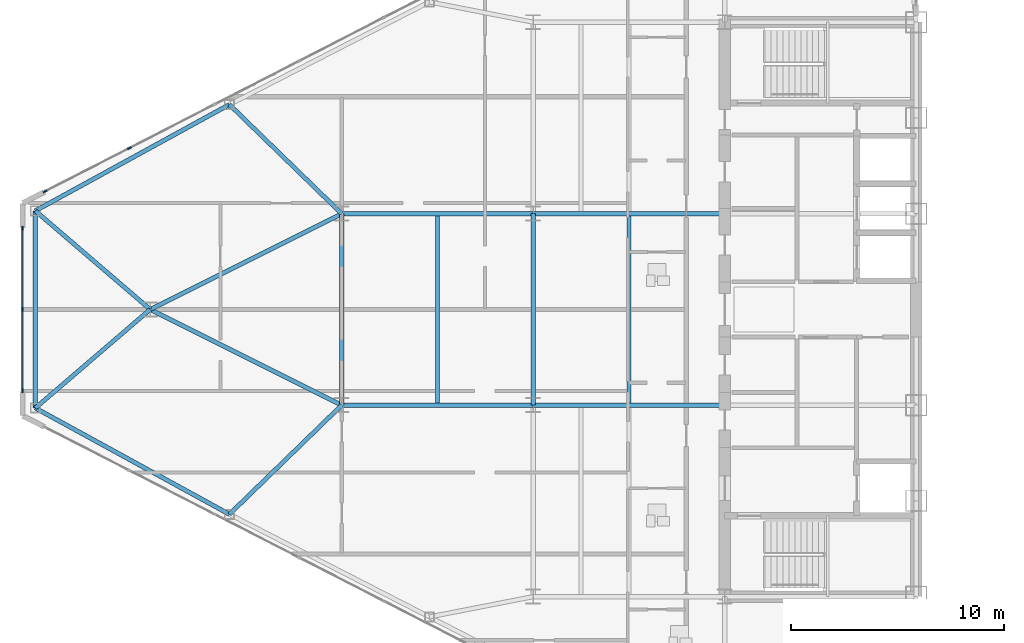
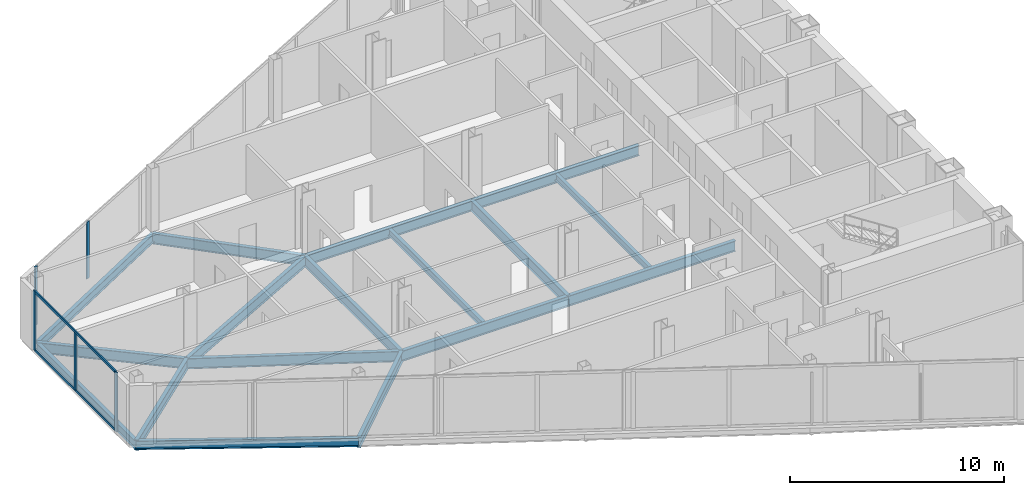
# One storey, part 4 of 23: 17 beams, 7 members, 2 elements without a shape of their own.
"""IFC4 building model written with IfcOpenShell, lengths in metres."""

from ifc_helpers import new_model, si_unit, direction, frame, origin, origin_2d, place, context, subcontext, project, spatial, rectangle, i_section, extrude, source, transform, mapped, material, layer, layer_set, material_profile, profile_set, type_object, type_shapes, element, aggregate, save


model = new_model("IFC4")

# Units and contexts
model_context = context("Model", 3, precision=1e-05, world=origin(), true_north=direction((0.0, 1.0)))
body_context = subcontext(model_context, "Body", "Model", "MODEL_VIEW")
ifc_project = project(units=[si_unit("LENGTHUNIT", "METRE"), si_unit("AREAUNIT", "SQUARE_METRE"), si_unit("VOLUMEUNIT", "CUBIC_METRE"), si_unit("PLANEANGLEUNIT", "RADIAN"), si_unit("MASSUNIT", "GRAM", prefix="KILO")], contexts=[model_context])

# Site, building, storey
site_placement = place(None, origin())
site = spatial("IfcSite", under=ifc_project, at=site_placement, CompositionType="ELEMENT")
building_placement = place(site_placement, origin())
building = spatial("IfcBuilding", under=site, at=building_placement, Name="Seokmaru Belvedere", CompositionType="ELEMENT")
storey_placement = place(building_placement, frame((0.0, 0.0, 147.60009765625)))
storey = spatial("IfcBuildingStorey", under=building, at=storey_placement, Name="L39", CompositionType="ELEMENT", Elevation=147.60009765625)

# Beams
ifc_material_1 = material(Name="Steel SM355 (355 MPa)", Category="steel")
ifc_material_profile_1 = material_profile(ifc_material_1, i_section(OverallWidth=0.199951171875, OverallDepth=0.60009765625, WebThickness=0.010986328125, FlangeThickness=0.01708984375, at=origin_2d()), Name="H-600x200x11x17")
ifc_profile_set_1 = profile_set([ifc_material_profile_1], Name="Steel SM355 (355 MPa)")
beam_type_1 = type_object("IfcBeamType", Name="Primary Floor Girder H-600", PredefinedType="BEAM", material=ifc_profile_set_1)
shared_shape_1 = source(origin(), body_context, "Body", "SweptSolid", [
    extrude(i_section(OverallWidth=0.199951171875, OverallDepth=0.60009765625, WebThickness=0.010986328125, FlangeThickness=0.01708984375, at=origin_2d()), origin(), (0.0, 0.0, 1.0), 9.0),
])
for number, where, z_axis, x_axis, name in (
    (1, (-45.5, -4.5, -0.52001953125), (0.0, 1.0, 0.0), (-1.0, 0.0, 0.0), "L39 W Interior Grid Girder 2"),
    (2, (-45.5, -4.5, -0.52001953125), (1.0, 0.0, 0.0), (0.0, 1.0, 0.0), "L39 W Wing Primary Girder 2"),
    (3, (-45.5, 4.5, -0.52001953125), (1.0, 0.0, 0.0), (0.0, 1.0, 0.0), "L39 W Wing Primary Girder 3"),
    (4, (-54.5, -4.5, -0.52001953125), (1.0, 0.0, 0.0), (0.0, 1.0, 0.0), "L39 W Outer Wing Girder 1"),
    (5, (-54.5, 4.5, -0.52001953125), (1.0, 0.0, 0.0), (0.0, 1.0, 0.0), "L39 W Outer Wing Girder 2"),
    (6, (-54.5, -4.5, -0.52001953125), (0.0, 1.0, 0.0), (-1.0, 0.0, 0.0), "L39 W Apex Frame Girder"),
):
    element("IfcBeam", number, at=place(storey_placement, frame(where, z_axis=z_axis, x_axis=x_axis)), inside=storey, type_object=beam_type_1, Name=name, PredefinedType="BEAM", context=body_context, shape_type="MappedRepresentation", body=[
        mapped(shared_shape_1, transform((0.0, 0.0, 0.0), scale=1.0)),
    ])
shared_shape_2 = source(origin(), body_context, "Body", "SweptSolid", [
    extrude(i_section(OverallWidth=0.199951171875, OverallDepth=0.60009765625, WebThickness=0.010986328125, FlangeThickness=0.01708984375, at=origin_2d()), origin(), (0.0, 0.0, 1.0), 10.062255859375),
])
for number, where, z_axis, x_axis, name in (
    (7, (-54.5, -4.5, -0.52001953125), (-0.894427191, 0.4472135955, 0.0), (-0.4472135955, -0.894427191, 0.0), "L39 W Apex Converging Girder 1"),
    (8, (-54.5, 4.5, -0.52001953125), (-0.894427191, -0.4472135955, 0.0), (0.4472135955, -0.894427191, 0.0), "L39 W Apex Converging Girder 2"),
):
    element("IfcBeam", number, at=place(storey_placement, frame(where, z_axis=z_axis, x_axis=x_axis)), inside=storey, type_object=beam_type_1, Name=name, PredefinedType="BEAM", context=body_context, shape_type="MappedRepresentation", body=[
        mapped(shared_shape_2, transform((0.0, 0.0, 0.0), scale=1.0)),
    ])
ifc_material_profile_2 = material_profile(ifc_material_1, i_section(OverallWidth=0.18505859375, OverallDepth=0.389892578125, WebThickness=0.008056640625, FlangeThickness=0.011962890625, at=origin_2d()), Name="H-390x185x8x12")
ifc_profile_set_2 = profile_set([ifc_material_profile_2], Name="Steel SM355 (355 MPa)")
beam_type_2 = type_object("IfcBeamType", Name="Secondary Floor Joist H-350", PredefinedType="JOIST", material=ifc_profile_set_2)
shared_shape_3 = source(origin(), body_context, "Body", "SweptSolid", [
    extrude(i_section(OverallWidth=0.18505859375, OverallDepth=0.389892578125, WebThickness=0.008056640625, FlangeThickness=0.011962890625, at=origin_2d()), origin(), (0.0, 0.0, 1.0), 8.7900390625),
])
type_shapes(beam_type_2, [shared_shape_3])
for number, where, z_axis, x_axis, name in (
    (9, (-41.0, -4.39501953125, -0.4150390625), (0.0, 1.0, 0.0), (-1.0, 0.0, 0.0), "L39 W Secondary Floor Joist 2"),
    (10, (-50.0, -4.39501953125, -0.4150390625), (0.0, 1.0, 0.0), (-1.0, 0.0, 0.0), "L39 W Outer Bay Secondary Joist"),
):
    element("IfcBeam", number, at=place(storey_placement, frame(where, z_axis=z_axis, x_axis=x_axis)), inside=storey, type_object=beam_type_2, Name=name, PredefinedType="JOIST", context=body_context, shape_type="MappedRepresentation", body=[
        mapped(shared_shape_3, transform((0.0, 0.0, 0.0), scale=1.0)),
    ])
ifc_material_profile_3 = material_profile(ifc_material_1, i_section(OverallWidth=0.199951171875, OverallDepth=0.5, WebThickness=0.010009765625, FlangeThickness=0.01611328125, at=origin_2d()), Name="H-500x200x10x16")
ifc_profile_set_3 = profile_set([ifc_material_profile_3], Name="Steel SM355 (355 MPa)")
beam_type_3 = type_object("IfcBeamType", Name="Perimeter Spandrel Beam H-500", PredefinedType="SPANDREL", material=ifc_profile_set_3)
shared_shape_4 = source(origin(), body_context, "Body", "SweptSolid", [
    extrude(i_section(OverallWidth=0.199951171875, OverallDepth=0.5, WebThickness=0.010009765625, FlangeThickness=0.01611328125, at=origin_2d()), origin(), (0.0, 0.0, 1.0), 10.399658203125),
])
for number, where, z_axis, x_axis, name in (
    (11, (-59.778564453125, -9.62890625, -0.47021484375), (-0.877082374422, 0.480339992587, 0.0), (-0.480339992587, -0.877082374422, 0.0), "L39 W Faceted Flank Spandrel S-4"),
    (12, (-59.778564453125, 9.62890625, -0.47021484375), (-0.877082374422, -0.480339992587, 0.0), (0.480339992587, -0.877082374422, 0.0), "L39 W Faceted Flank Spandrel N-4"),
):
    element("IfcBeam", number, at=place(storey_placement, frame(where, z_axis=z_axis, x_axis=x_axis)), inside=storey, type_object=beam_type_3, Name=name, PredefinedType="SPANDREL", context=body_context, shape_type="MappedRepresentation", body=[
        mapped(shared_shape_4, transform((0.0, 0.0, 0.0), scale=1.0)),
    ])
shared_shape_5 = source(origin(), body_context, "Body", "SweptSolid", [
    extrude(i_section(OverallWidth=0.199951171875, OverallDepth=0.5, WebThickness=0.010009765625, FlangeThickness=0.01611328125, at=origin_2d()), origin(), (0.0, 0.0, 1.0), 9.26708984375),
])
type_shapes(beam_type_3, [shared_shape_4, shared_shape_5])
beam_placement = place(storey_placement, frame((-68.89990234375, -4.633544921875, -0.47021484375), z_axis=(0.0, 1.0, 0.0), x_axis=(-1.0, 0.0, 0.0)))
element("IfcBeam", 13, at=beam_placement, inside=storey, type_object=beam_type_3, Name="L39 W Faceted Apex Spandrel", PredefinedType="SPANDREL", context=body_context, shape_type="MappedRepresentation", body=[
    mapped(shared_shape_5, transform((0.0, 0.0, 0.0), scale=1.0)),
])
shared_shape_6 = source(origin(), body_context, "Body", "SweptSolid", [
    extrude(i_section(OverallWidth=0.199951171875, OverallDepth=0.60009765625, WebThickness=0.010986328125, FlangeThickness=0.01708984375, at=origin_2d()), origin(), (0.0, 0.0, 1.0), 7.35986328125),
])
for number, where, z_axis, x_axis, name in (
    (14, (-59.778564453125, -9.62890625, -0.52001953125), (0.717200745515, 0.696866623273, 0.0), (-0.696866623273, 0.717200745515, 0.0), "L39 W Flank Radial Floor Girder S-3"),
    (15, (-59.778564453125, 9.62890625, -0.52001953125), (0.717200745515, -0.696866623273, 0.0), (0.696866623273, 0.717200745515, 0.0), "L39 W Flank Radial Floor Girder N-3"),
):
    element("IfcBeam", number, at=place(storey_placement, frame(where, z_axis=z_axis, x_axis=x_axis)), inside=storey, type_object=beam_type_1, Name=name, PredefinedType="BEAM", context=body_context, shape_type="MappedRepresentation", body=[
        mapped(shared_shape_6, transform((0.0, 0.0, 0.0), scale=1.0)),
    ])
shared_shape_7 = source(origin(), body_context, "Body", "SweptSolid", [
    extrude(i_section(OverallWidth=0.199951171875, OverallDepth=0.60009765625, WebThickness=0.010986328125, FlangeThickness=0.01708984375, at=origin_2d()), origin(), (0.0, 0.0, 1.0), 7.115478515625),
])
type_shapes(beam_type_1, [shared_shape_1, shared_shape_2, shared_shape_6, shared_shape_7])
for number, where, z_axis, x_axis, name in (
    (16, (-68.89990234375, -4.633544921875, -0.52001953125), (0.758905301881, 0.651201000289, 0.0), (-0.651201000289, 0.758905301881, 0.0), "L39 W Apex Radial Floor Girder 1"),
    (17, (-68.89990234375, 4.633544921875, -0.52001953125), (0.758905301881, -0.651201000289, 0.0), (0.651201000289, 0.758905301881, 0.0), "L39 W Apex Radial Floor Girder 2"),
):
    element("IfcBeam", number, at=place(storey_placement, frame(where, z_axis=z_axis, x_axis=x_axis)), inside=storey, type_object=beam_type_1, Name=name, PredefinedType="BEAM", context=body_context, shape_type="MappedRepresentation", body=[
        mapped(shared_shape_7, transform((0.0, 0.0, 0.0), scale=1.0)),
    ])

# Curtain wall, member
ifc_material_2 = material(Name="Bronze Triple Insulating Glass", Category="glass")
ifc_layer = layer(ifc_material_2, 0.195068359375)
ifc_layer_set = layer_set([ifc_layer], Name="Bronze Triple Insulating Glass")
curtain_wall_type = type_object("IfcCurtainWallType", Name="Sky-Lobby and Mid-Rise Curtain Wall System CW-4", PredefinedType="NOTDEFINED", material=ifc_layer_set)
curtain_wall_1_placement = place(storey_placement, origin())
curtain_wall_1 = element("IfcCurtainWall", 18, at=curtain_wall_1_placement, inside=storey, type_object=curtain_wall_type, Name="L39 Curtain Wall WF3", PredefinedType="NOTDEFINED")
ifc_material_3 = material(Name="Anodised Bronze Aluminium", Category="aluminium")
ifc_material_profile_4 = material_profile(ifc_material_3, rectangle(XDim=0.070068359375, YDim=0.195068359375, at=origin_2d()), Name="CW-M-70x195")
ifc_profile_set_4 = profile_set([ifc_material_profile_4], Name="Anodised Bronze Aluminium")
member_type_1 = type_object("IfcMemberType", Name="Bronze Unitised Mullion 70x195", PredefinedType="MULLION", material=ifc_profile_set_4)
shared_shape_8 = source(origin(), body_context, "Body", "SweptSolid", [
    extrude(rectangle(XDim=0.070068359375, YDim=0.195068359375, at=origin_2d()), origin(), (0.0, 0.0, 1.0), 3.3798828125),
])
member_1_placement = place(storey_placement, frame((-68.44580078125, 5.541015625, 0.0), z_axis=(0.0, 0.0, 1.0), x_axis=(0.456554528263, -0.889695432562, 0.0)))
member_1 = element("IfcMember", 19, at=member_1_placement, type_object=member_type_1, Name="CW:L39:WF3 Mullion 10", PredefinedType="MULLION", context=body_context, shape_type="MappedRepresentation", body=[
    mapped(shared_shape_8, transform((0.0, 0.0, 0.0), scale=1.0)),
])

# Curtain wall, members
curtain_wall_2_placement = place(storey_placement, origin())
curtain_wall_2 = element("IfcCurtainWall", 20, at=curtain_wall_2_placement, inside=storey, type_object=curtain_wall_type, Name="L39 Curtain Wall WF4", PredefinedType="NOTDEFINED")
member_2_placement = place(storey_placement, frame((-69.5, 3.81494140625, 0.0), z_axis=(0.0, 0.0, 1.0), x_axis=(1.0, 0.0, 0.0)))
member_2 = element("IfcMember", 21, at=member_2_placement, type_object=member_type_1, Name="CW:L39:WF4 Mullion 1", PredefinedType="MULLION", context=body_context, shape_type="MappedRepresentation", body=[
    mapped(shared_shape_8, transform((0.0, 0.0, 0.0), scale=1.0)),
])
member_3_placement = place(storey_placement, frame((-69.5, -3.81494140625, 0.0), z_axis=(0.0, 0.0, 1.0), x_axis=(1.0, 0.0, 0.0)))
member_3 = element("IfcMember", 22, at=member_3_placement, type_object=member_type_1, Name="CW:L39:WF4 Mullion 3", PredefinedType="MULLION", context=body_context, shape_type="MappedRepresentation", body=[
    mapped(shared_shape_8, transform((0.0, 0.0, 0.0), scale=1.0)),
])

# Member
shared_shape_9 = source(origin(), body_context, "Body", "SweptSolid", [
    extrude(rectangle(XDim=0.070068359375, YDim=0.195068359375, at=origin_2d()), origin(), (0.0, 0.0, 1.0), 3.25),
])
type_shapes(member_type_1, [shared_shape_8, shared_shape_9])
member_4_placement = place(storey_placement, frame((-64.48193359375, 7.574951171875, 0.06494140625), z_axis=(0.0, 0.0, 1.0), x_axis=(0.456554528263, -0.889695432562, 0.0)))
member_4 = element("IfcMember", 23, at=member_4_placement, type_object=member_type_1, Name="CW:L39:WF3 Mullion 9", PredefinedType="MULLION", context=body_context, shape_type="MappedRepresentation", body=[
    mapped(shared_shape_9, transform((0.0, 0.0, 0.0), scale=1.0)),
])

aggregate(curtain_wall_1, [member_4, member_1])

member_5_placement = place(storey_placement, frame((-69.5, 0.0, 0.06494140625), z_axis=(0.0, 0.0, 1.0), x_axis=(1.0, 0.0, 0.0)))
member_5 = element("IfcMember", 24, at=member_5_placement, type_object=member_type_1, Name="CW:L39:WF4 Mullion 2", PredefinedType="MULLION", context=body_context, shape_type="MappedRepresentation", body=[
    mapped(shared_shape_9, transform((0.0, 0.0, 0.0), scale=1.0)),
])

ifc_material_profile_5 = material_profile(ifc_material_3, rectangle(XDim=0.06494140625, YDim=0.14990234375, at=origin_2d()), Name="CW-T-65x150")
ifc_profile_set_5 = profile_set([ifc_material_profile_5], Name="Anodised Bronze Aluminium")
member_type_2 = type_object("IfcMemberType", Name="Bronze Unitised Transom 65x150", PredefinedType="USERDEFINED", material=ifc_profile_set_5)
shared_shape_10 = source(origin(), body_context, "Body", "SweptSolid", [
    extrude(rectangle(XDim=0.06494140625, YDim=0.14990234375, at=origin_2d()), origin(), (0.0, 0.0, 1.0), 7.56005859375),
])
type_shapes(member_type_2, [shared_shape_10])
member_6_placement = place(storey_placement, frame((-69.5, 3.780029296875, 0.032470703125), z_axis=(0.0, -1.0, 0.0), x_axis=(1.0, 0.0, 0.0)))
member_6 = element("IfcMember", 25, at=member_6_placement, type_object=member_type_2, Name="CW:L39:WF4 Continuous Transom 1", ObjectType="TRANSOM", PredefinedType="USERDEFINED", context=body_context, shape_type="MappedRepresentation", body=[
    mapped(shared_shape_10, transform((0.0, 0.0, 0.0), scale=1.0)),
])

member_7_placement = place(storey_placement, frame((-69.5, 3.780029296875, 3.347412109375), z_axis=(0.0, -1.0, 0.0), x_axis=(1.0, 0.0, 0.0)))
member_7 = element("IfcMember", 26, at=member_7_placement, type_object=member_type_2, Name="CW:L39:WF4 Continuous Transom 2", ObjectType="TRANSOM", PredefinedType="USERDEFINED", context=body_context, shape_type="MappedRepresentation", body=[
    mapped(shared_shape_10, transform((0.0, 0.0, 0.0), scale=1.0)),
])

aggregate(curtain_wall_2, [member_2, member_5, member_3, member_6, member_7])

save(model, "model.ifc")
